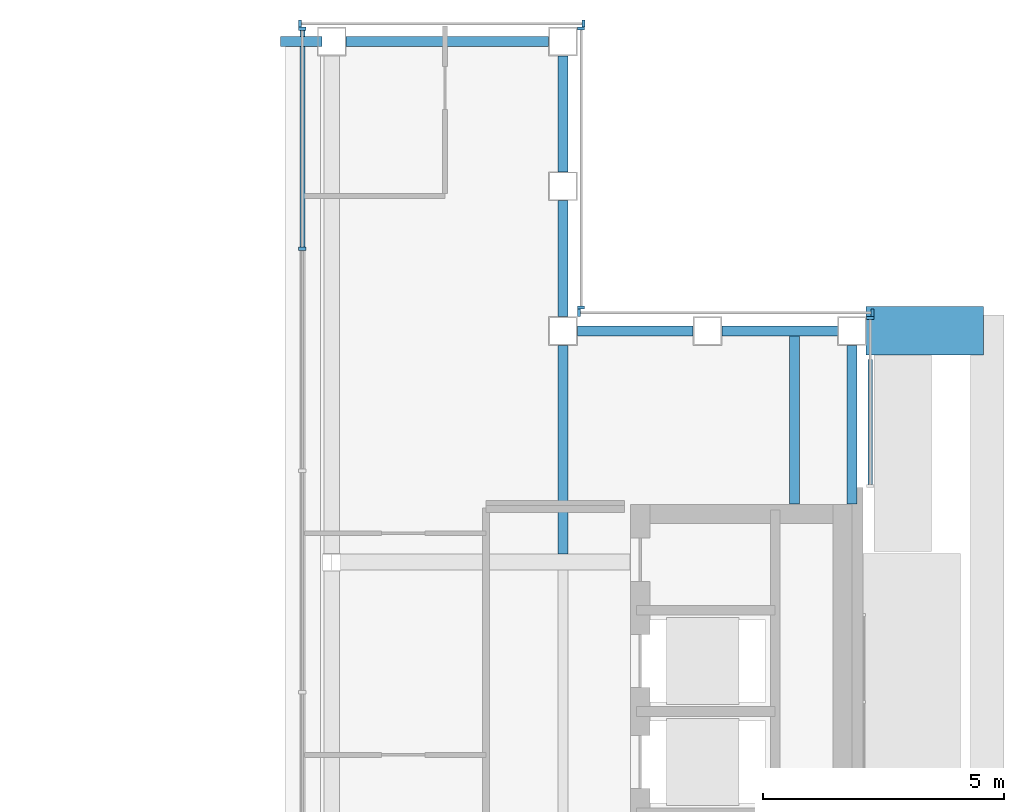
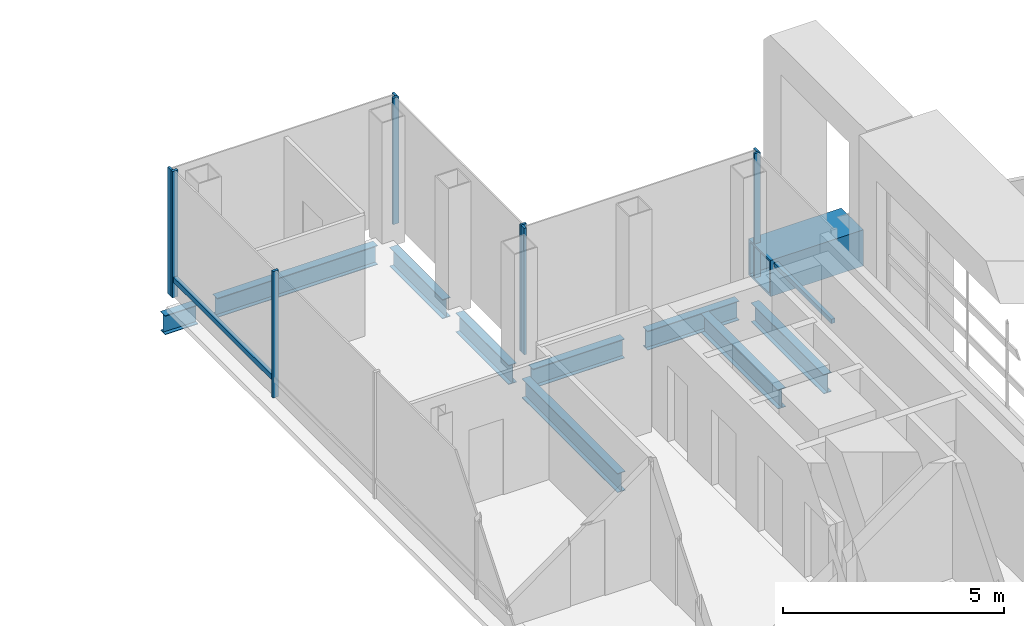
# One storey, part 9 of 21: 11 members, 10 beams, 5 elements without a shape of their own.
"""IFC4 building model written with IfcOpenShell, lengths in metres."""

from ifc_helpers import new_model, si_unit, direction, frame, origin, origin_2d, place, context, subcontext, project, spatial, rectangle, hollow_rectangle, i_section, extrude, material, material_profile, profile_set, type_object, element, aggregate, save


model = new_model("IFC4")

# Units and contexts
model_context = context("Model", 3, precision=1e-05, world=origin(), true_north=direction((0.0, 1.0)))
body_context = subcontext(model_context, "Body", "Model", "MODEL_VIEW")
ifc_project = project(units=[si_unit("LENGTHUNIT", "METRE"), si_unit("AREAUNIT", "SQUARE_METRE"), si_unit("VOLUMEUNIT", "CUBIC_METRE"), si_unit("PLANEANGLEUNIT", "RADIAN"), si_unit("MASSUNIT", "GRAM", prefix="KILO")], contexts=[model_context])

# Site, building, storey
site_placement = place(None, origin())
site = spatial("IfcSite", under=ifc_project, at=site_placement, CompositionType="ELEMENT")
building_placement = place(site_placement, origin())
building = spatial("IfcBuilding", under=site, at=building_placement, Name="Cobrizo Arcos Hotel Tower", CompositionType="ELEMENT")
storey_placement = place(building_placement, frame((0.0, 0.0, 276.0)))
storey = spatial("IfcBuildingStorey", under=building, at=storey_placement, Name="L73", CompositionType="ELEMENT", Elevation=276.0)

# Beam
ifc_material_1 = material(Name="Steel ASTM A572 Grade 50", Category="steel")
ifc_material_profile_1 = material_profile(ifc_material_1, hollow_rectangle(XDim=1.0, YDim=1.0, WallThickness=0.06005859375, at=origin_2d()), Name="BOX 1000X1000X60")
ifc_profile_set_1 = profile_set([ifc_material_profile_1], Name="Steel ASTM A572 Grade 50")
beam_type_1 = type_object("IfcBeamType", Name="BOX 1000X1000X60 brace connector strut", PredefinedType="BEAM", material=ifc_profile_set_1)
beam_1_placement = place(storey_placement, frame((20.68994140625, 14.39990234375, 0.5), z_axis=(1.0, 0.0, 0.0), x_axis=(0.0, 1.0, 0.0)))
element("IfcBeam", 1, at=beam_1_placement, inside=storey, type_object=beam_type_1, Name="Perimeter brace stub BS1, zone Z5, east face, offset +14.40 m, L73", PredefinedType="BEAM", context=body_context, shape_type="SweptSolid", body=[
    extrude(hollow_rectangle(XDim=1.0, YDim=1.0, WallThickness=0.06005859375, at=origin_2d()), origin(), (0.0, 0.0, 1.0), 2.43017578125),
])

# Curtain wall, members
ifc_material_2 = material(Name="Aluminium 6063-T6 anodised bronze", Category="aluminium")
curtain_wall_type_1 = type_object("IfcCurtainWallType", Name="CW-A guest facade", PredefinedType="NOTDEFINED", material=ifc_material_2)
curtain_wall_1_placement = place(storey_placement, origin())
curtain_wall_1 = element("IfcCurtainWall", 2, at=curtain_wall_1_placement, inside=storey, type_object=curtain_wall_type_1, Name="CW-A L73 N face", PredefinedType="NOTDEFINED")
ifc_material_profile_2 = material_profile(ifc_material_2, rectangle(XDim=0.14990234375, YDim=0.06005859375, at=origin_2d()), Name="CW-A mullion 150x60")
ifc_profile_set_2 = profile_set([ifc_material_profile_2], Name="Aluminium 6063-T6 anodised bronze")
member_type_1 = type_object("IfcMemberType", Name="CW-A mullion 150x60", PredefinedType="MULLION", material=ifc_profile_set_2)
member_1_placement = place(storey_placement, frame((14.820068359375, 20.77490234375, 0.0), z_axis=(0.0, 0.0, 1.0), x_axis=(0.0, 1.0, 0.0)))
member_1 = element("IfcMember", 3, at=member_1_placement, type_object=member_type_1, Name="CW-A mullion 1", PredefinedType="MULLION", context=body_context, shape_type="SweptSolid", body=[
    extrude(rectangle(XDim=0.14990234375, YDim=0.06005859375, at=origin_2d()), origin(), (0.0, 0.0, 1.0), 3.5),
])
member_2_placement = place(storey_placement, frame((8.945068359375, 20.77490234375, 0.0), z_axis=(0.0, 0.0, 1.0), x_axis=(0.0, 1.0, 0.0)))
member_2 = element("IfcMember", 4, at=member_2_placement, type_object=member_type_1, Name="CW-A mullion 2", PredefinedType="MULLION", context=body_context, shape_type="SweptSolid", body=[
    extrude(rectangle(XDim=0.14990234375, YDim=0.06005859375, at=origin_2d()), origin(), (0.0, 0.0, 1.0), 3.5),
])
aggregate(curtain_wall_1, [member_1, member_2])

# Curtain wall, member
curtain_wall_2_placement = place(storey_placement, origin())
curtain_wall_2 = element("IfcCurtainWall", 5, at=curtain_wall_2_placement, inside=storey, type_object=curtain_wall_type_1, Name="CW-A L73 E face", PredefinedType="NOTDEFINED")
member_3_placement = place(storey_placement, frame((20.77490234375, 14.669921875, 0.0), z_axis=(0.0, 0.0, 1.0), x_axis=(1.0, 0.0, 0.0)))
member_3 = element("IfcMember", 6, at=member_3_placement, type_object=member_type_1, Name="CW-A mullion 2", PredefinedType="MULLION", context=body_context, shape_type="SweptSolid", body=[
    extrude(rectangle(XDim=0.14990234375, YDim=0.06005859375, at=origin_2d()), origin(), (0.0, 0.0, 1.0), 3.5),
])

# Curtain wall, members
curtain_wall_3_placement = place(storey_placement, origin())
curtain_wall_3 = element("IfcCurtainWall", 7, at=curtain_wall_3_placement, inside=storey, type_object=curtain_wall_type_1, Name="CW-A L73 N face", PredefinedType="NOTDEFINED")
member_4_placement = place(storey_placement, frame((20.820068359375, 14.77490234375, 0.0), z_axis=(0.0, 0.0, 1.0), x_axis=(0.0, 1.0, 0.0)))
member_4 = element("IfcMember", 8, at=member_4_placement, type_object=member_type_1, Name="CW-A mullion 1", PredefinedType="MULLION", context=body_context, shape_type="SweptSolid", body=[
    extrude(rectangle(XDim=0.14990234375, YDim=0.06005859375, at=origin_2d()), origin(), (0.0, 0.0, 1.0), 3.5),
])
member_5_placement = place(storey_placement, frame((14.72998046875, 14.77490234375, 0.0), z_axis=(0.0, 0.0, 1.0), x_axis=(0.0, 1.0, 0.0)))
member_5 = element("IfcMember", 9, at=member_5_placement, type_object=member_type_1, Name="CW-A mullion 2", PredefinedType="MULLION", context=body_context, shape_type="SweptSolid", body=[
    extrude(rectangle(XDim=0.14990234375, YDim=0.06005859375, at=origin_2d()), origin(), (0.0, 0.0, 1.0), 3.5),
])
aggregate(curtain_wall_3, [member_4, member_5])

curtain_wall_4_placement = place(storey_placement, origin())
curtain_wall_4 = element("IfcCurtainWall", 10, at=curtain_wall_4_placement, inside=storey, type_object=curtain_wall_type_1, Name="CW-A L73 E face", PredefinedType="NOTDEFINED")
member_6_placement = place(storey_placement, frame((14.77490234375, 14.8798828125, 0.0), z_axis=(0.0, 0.0, 1.0), x_axis=(1.0, 0.0, 0.0)))
member_6 = element("IfcMember", 11, at=member_6_placement, type_object=member_type_1, Name="CW-A mullion 1", PredefinedType="MULLION", context=body_context, shape_type="SweptSolid", body=[
    extrude(rectangle(XDim=0.14990234375, YDim=0.06005859375, at=origin_2d()), origin(), (0.0, 0.0, 1.0), 3.5),
])
member_7_placement = place(storey_placement, frame((14.77490234375, 20.669921875, 0.0), z_axis=(0.0, 0.0, 1.0), x_axis=(1.0, 0.0, 0.0)))
member_7 = element("IfcMember", 12, at=member_7_placement, type_object=member_type_1, Name="CW-A mullion 2", PredefinedType="MULLION", context=body_context, shape_type="SweptSolid", body=[
    extrude(rectangle(XDim=0.14990234375, YDim=0.06005859375, at=origin_2d()), origin(), (0.0, 0.0, 1.0), 3.5),
])
aggregate(curtain_wall_4, [member_6, member_7])

# Member
ifc_material_profile_3 = material_profile(ifc_material_2, rectangle(XDim=0.10009765625, YDim=0.1201171875, at=origin_2d()), Name="CW-A transom 120x100")
ifc_profile_set_3 = profile_set([ifc_material_profile_3], Name="Aluminium 6063-T6 anodised bronze")
member_type_2 = type_object("IfcMemberType", Name="CW-A transom 120x100", PredefinedType="USERDEFINED", material=ifc_profile_set_3)
member_8_placement = place(storey_placement, frame((20.77490234375, 11.2099609375, 0.929931640625), z_axis=(0.0, 1.0, 0.0), x_axis=(-1.0, 0.0, 0.0)))
member_8 = element("IfcMember", 13, at=member_8_placement, type_object=member_type_2, Name="CW-A transom 2304", ObjectType="TRANSOM", PredefinedType="USERDEFINED", context=body_context, shape_type="SweptSolid", body=[
    extrude(rectangle(XDim=0.10009765625, YDim=0.1201171875, at=origin_2d()), origin(), (0.0, 0.0, 1.0), 2.590087890625),
])

aggregate(curtain_wall_2, [member_3, member_8])

# Curtain wall, members
curtain_wall_type_2 = type_object("IfcCurtainWallType", Name="CW-C arch infill and crown glazing", PredefinedType="NOTDEFINED", material=ifc_material_2)
curtain_wall_5_placement = place(storey_placement, origin())
curtain_wall_5 = element("IfcCurtainWall", 14, at=curtain_wall_5_placement, inside=storey, type_object=curtain_wall_type_2, Name="CW-C L73 W face", PredefinedType="NOTDEFINED")
ifc_material_profile_4 = material_profile(ifc_material_2, rectangle(XDim=0.14990234375, YDim=0.070068359375, at=origin_2d()), Name="CW-C mullion 150x70")
ifc_profile_set_4 = profile_set([ifc_material_profile_4], Name="Aluminium 6063-T6 anodised bronze")
member_type_3 = type_object("IfcMemberType", Name="CW-C mullion 150x70", PredefinedType="MULLION", material=ifc_profile_set_4)
member_9_placement = place(storey_placement, frame((8.989990234375, 20.6650390625, 0.0), z_axis=(0.0, 0.0, 1.0), x_axis=(-1.0, 0.0, 0.0)))
member_9 = element("IfcMember", 15, at=member_9_placement, type_object=member_type_3, Name="CW-C mullion 1", PredefinedType="MULLION", context=body_context, shape_type="SweptSolid", body=[
    extrude(rectangle(XDim=0.14990234375, YDim=0.070068359375, at=origin_2d()), origin(), (0.0, 0.0, 1.0), 3.5),
])
member_10_placement = place(storey_placement, frame((8.989990234375, 16.10009765625, 0.0), z_axis=(0.0, 0.0, 1.0), x_axis=(-1.0, 0.0, 0.0)))
member_10 = element("IfcMember", 16, at=member_10_placement, type_object=member_type_3, Name="CW-C mullion 2", PredefinedType="MULLION", context=body_context, shape_type="SweptSolid", body=[
    extrude(rectangle(XDim=0.14990234375, YDim=0.070068359375, at=origin_2d()), origin(), (0.0, 0.0, 1.0), 3.5),
])
ifc_material_profile_5 = material_profile(ifc_material_2, rectangle(XDim=0.10009765625, YDim=0.139892578125, at=origin_2d()), Name="CW-C transom 140x100")
ifc_profile_set_5 = profile_set([ifc_material_profile_5], Name="Aluminium 6063-T6 anodised bronze")
member_type_4 = type_object("IfcMemberType", Name="CW-C transom 140x100", PredefinedType="USERDEFINED", material=ifc_profile_set_5)
member_11_placement = place(storey_placement, frame((8.989990234375, 20.6298828125, 0.5), z_axis=(0.0, -1.0, 0.0), x_axis=(1.0, 0.0, 0.0)))
member_11 = element("IfcMember", 17, at=member_11_placement, type_object=member_type_4, Name="CW-C transom 2291", ObjectType="TRANSOM", PredefinedType="USERDEFINED", context=body_context, shape_type="SweptSolid", body=[
    extrude(rectangle(XDim=0.10009765625, YDim=0.139892578125, at=origin_2d()), origin(), (0.0, 0.0, 1.0), 4.494873046875),
])
aggregate(curtain_wall_5, [member_9, member_10, member_11])

# Beams
ifc_material_3 = material(Name="Steel ASTM A992 Grade 50", Category="steel")
ifc_material_profile_6 = material_profile(ifc_material_3, i_section(OverallWidth=0.209228515625, OverallDepth=0.533447265625, WebThickness=0.01025390625, FlangeThickness=0.015625, at=origin_2d()), Name="W21X62")
ifc_profile_set_6 = profile_set([ifc_material_profile_6], Name="Steel ASTM A992 Grade 50")
beam_type_2 = type_object("IfcBeamType", Name="W21X62 joist", PredefinedType="JOIST", material=ifc_profile_set_6)
beam_2_placement = place(storey_placement, frame((14.39990234375, 9.763916015625, -0.416748046875), z_axis=(0.0, 1.0, 0.0), x_axis=(-1.0, 0.0, 0.0)))
element("IfcBeam", 18, at=beam_2_placement, inside=storey, type_object=beam_type_2, Name="Floor joist J1, L73, no. 010", PredefinedType="JOIST", context=body_context, shape_type="SweptSolid", body=[
    extrude(i_section(OverallWidth=0.209228515625, OverallDepth=0.533447265625, WebThickness=0.01025390625, FlangeThickness=0.015625, at=origin_2d()), origin(), (0.0, 0.0, 1.0), 4.336181640625),
])
beam_3_placement = place(storey_placement, frame((19.199951171875, 10.81005859375, -0.416748046875), z_axis=(0.0, 1.0, 0.0), x_axis=(-1.0, 0.0, 0.0)))
element("IfcBeam", 19, at=beam_3_placement, inside=storey, type_object=beam_type_2, Name="Floor joist J1, L73, no. 012", PredefinedType="JOIST", context=body_context, shape_type="SweptSolid", body=[
    extrude(i_section(OverallWidth=0.209228515625, OverallDepth=0.533447265625, WebThickness=0.01025390625, FlangeThickness=0.015625, at=origin_2d()), origin(), (0.0, 0.0, 1.0), 3.5),
])
ifc_material_profile_7 = material_profile(ifc_material_3, i_section(OverallWidth=0.209228515625, OverallDepth=0.533447265625, WebThickness=0.01025390625, FlangeThickness=0.015625, at=origin_2d()), Name="W21X62")
ifc_profile_set_7 = profile_set([ifc_material_profile_7], Name="Steel ASTM A992 Grade 50")
beam_type_3 = type_object("IfcBeamType", Name="W21X62 spandrel", PredefinedType="SPANDREL", material=ifc_profile_set_7)
beam_4_placement = place(storey_placement, frame((8.534912109375, 20.39990234375, -0.416748046875), z_axis=(1.0, 0.0, 0.0), x_axis=(0.0, 1.0, 0.0)))
element("IfcBeam", 20, at=beam_4_placement, inside=storey, type_object=beam_type_3, Name="Spandrel beam W21X62, L73, no. 015", PredefinedType="SPANDREL", context=body_context, shape_type="SweptSolid", body=[
    extrude(i_section(OverallWidth=0.209228515625, OverallDepth=0.533447265625, WebThickness=0.01025390625, FlangeThickness=0.015625, at=origin_2d()), origin(), (0.0, 0.0, 1.0), 0.864990234375),
])
beam_5_placement = place(storey_placement, frame((9.89990234375, 20.39990234375, -0.416748046875), z_axis=(1.0, 0.0, 0.0), x_axis=(0.0, 1.0, 0.0)))
element("IfcBeam", 21, at=beam_5_placement, inside=storey, type_object=beam_type_3, Name="Spandrel beam W21X62, L73, no. 016", PredefinedType="SPANDREL", context=body_context, shape_type="SweptSolid", body=[
    extrude(i_section(OverallWidth=0.209228515625, OverallDepth=0.533447265625, WebThickness=0.01025390625, FlangeThickness=0.015625, at=origin_2d()), origin(), (0.0, 0.0, 1.0), 4.2001953125),
])
for number, where, z_axis, x_axis, name in (
    (22, (14.39990234375, 20.10009765625, -0.416748046875), (0.0, -1.0, 0.0), (1.0, 0.0, 0.0), "Spandrel beam W21X62, L73, no. 017"),
    (23, (14.39990234375, 17.10009765625, -0.416748046875), (0.0, -1.0, 0.0), (1.0, 0.0, 0.0), "Spandrel beam W21X62, L73, no. 018"),
    (24, (14.699951171875, 14.39990234375, -0.416748046875), (1.0, 0.0, 0.0), (0.0, 1.0, 0.0), "Spandrel beam W21X62, L73, no. 019"),
    (25, (17.699951171875, 14.39990234375, -0.416748046875), (1.0, 0.0, 0.0), (0.0, 1.0, 0.0), "Spandrel beam W21X62, L73, no. 020"),
):
    element("IfcBeam", number, at=place(storey_placement, frame(where, z_axis=z_axis, x_axis=x_axis)), inside=storey, type_object=beam_type_3, Name=name, PredefinedType="SPANDREL", context=body_context, shape_type="SweptSolid", body=[
        extrude(i_section(OverallWidth=0.209228515625, OverallDepth=0.533447265625, WebThickness=0.01025390625, FlangeThickness=0.015625, at=origin_2d()), origin(), (0.0, 0.0, 1.0), 2.400146484375),
    ])
beam_6_placement = place(storey_placement, frame((20.39990234375, 14.10009765625, -0.416748046875), z_axis=(0.0, -1.0, 0.0), x_axis=(1.0, 0.0, 0.0)))
element("IfcBeam", 26, at=beam_6_placement, inside=storey, type_object=beam_type_3, Name="Spandrel beam W21X62, L73, no. 021", PredefinedType="SPANDREL", context=body_context, shape_type="SweptSolid", body=[
    extrude(i_section(OverallWidth=0.209228515625, OverallDepth=0.533447265625, WebThickness=0.01025390625, FlangeThickness=0.015625, at=origin_2d()), origin(), (0.0, 0.0, 1.0), 3.2900390625),
])

save(model, "model.ifc")
